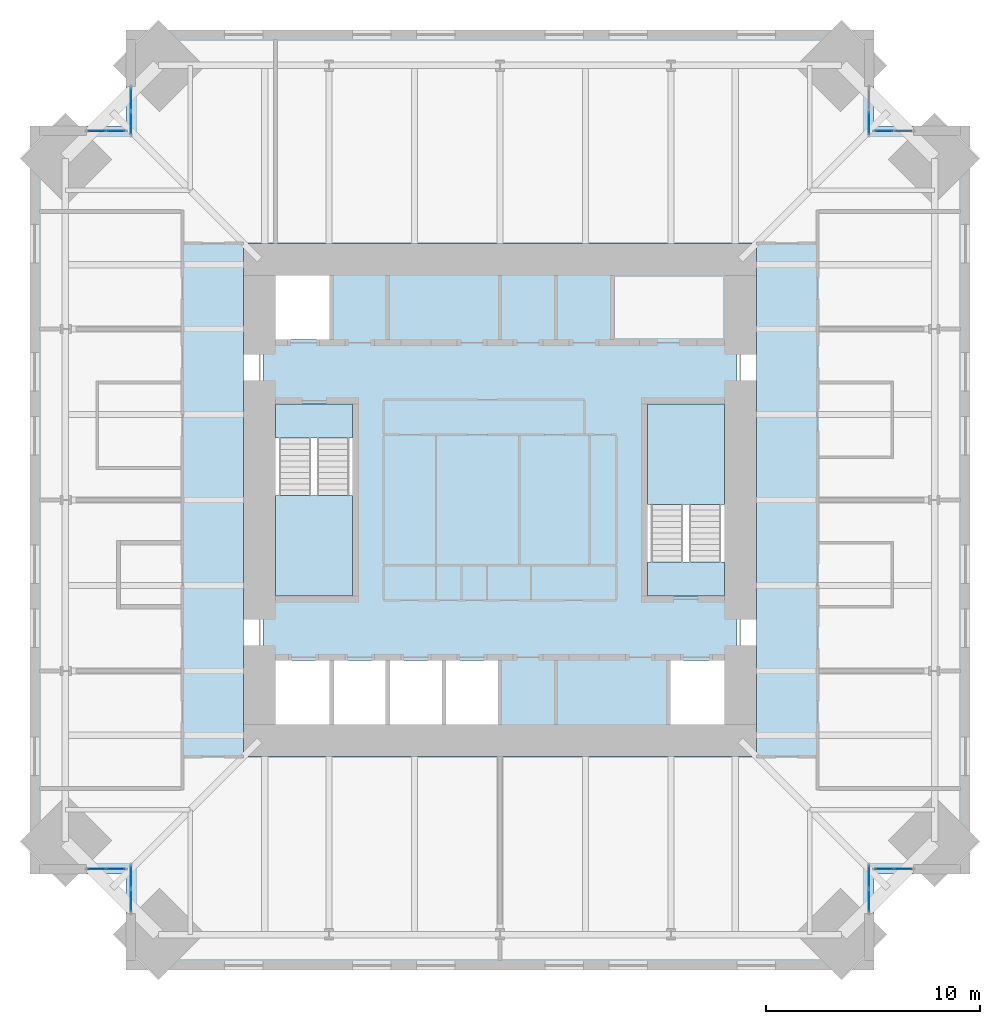
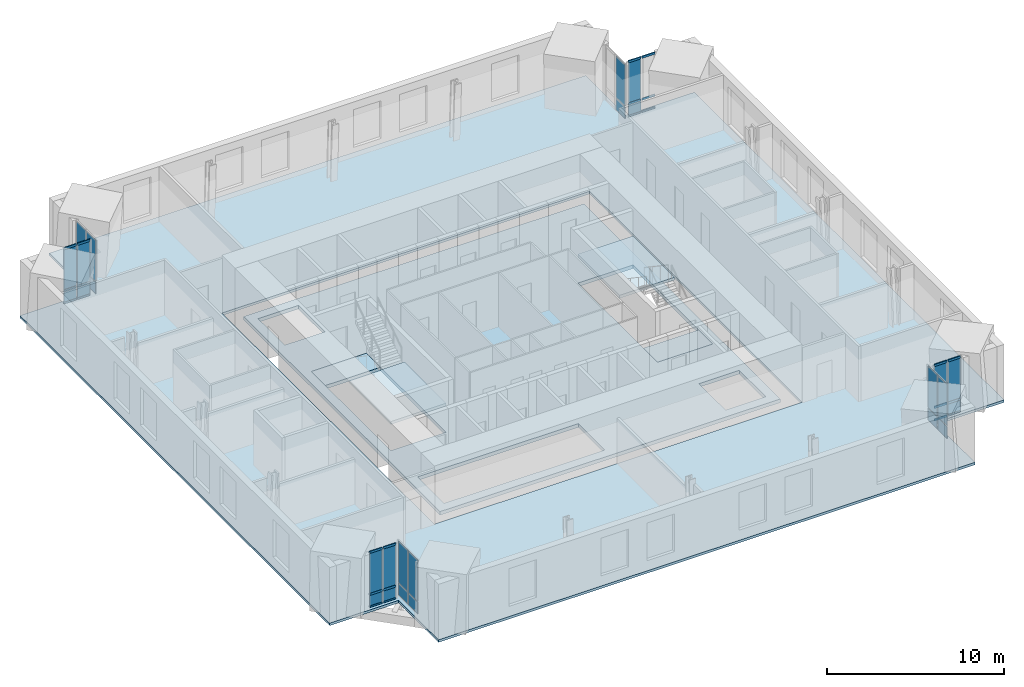
# One storey, part 10 of 16: 28 plates, 24 members, 6 slabs, 10 elements without a shape of their own.
"""IFC4 building model written with IfcOpenShell, lengths in metres."""

from ifc_helpers import new_model, si_unit, direction, frame, origin, origin_2d, place, context, subcontext, project, spatial, polyline, rectangle, hollow_rectangle, outline, extrude, material, layer, layer_set, material_profile, profile_set, type_object, element, aggregate, save


model = new_model("IFC4")

# Units and contexts
model_context = context("Model", 3, precision=1e-05, world=origin(), true_north=direction((0.0, 1.0)))
body_context = subcontext(model_context, "Body", "Model", "MODEL_VIEW")
ifc_project = project(units=[si_unit("LENGTHUNIT", "METRE"), si_unit("AREAUNIT", "SQUARE_METRE"), si_unit("VOLUMEUNIT", "CUBIC_METRE"), si_unit("PLANEANGLEUNIT", "RADIAN"), si_unit("MASSUNIT", "GRAM", prefix="KILO")], contexts=[model_context])

# Site, building, storey
site_placement = place(None, origin())
site = spatial("IfcSite", under=ifc_project, at=site_placement, CompositionType="ELEMENT")
building_placement = place(site_placement, origin())
building = spatial("IfcBuilding", under=site, at=building_placement, Name="Peilmerk Tower", CompositionType="ELEMENT")
storey_placement = place(building_placement, frame((0.0, 0.0, 261.800048828125)))
storey = spatial("IfcBuildingStorey", under=building, at=storey_placement, Name="L58", CompositionType="ELEMENT", Elevation=261.800048828125)

# Curtain wall, members
ifc_material_1 = material(Name="Aluminium stick curtain wall", Category="aluminium")
curtain_wall_type = type_object("IfcCurtainWallType", Name="CW4 stick curtain wall, 2250 module", PredefinedType="NOTDEFINED", material=ifc_material_1)
curtain_wall_1_placement = place(storey_placement, origin())
curtain_wall_1 = element("IfcCurtainWall", 1, at=curtain_wall_1_placement, inside=storey, type_object=curtain_wall_type, Name="Curtain wall CW4 NEB L58", PredefinedType="NOTDEFINED")
ifc_material_2 = material(Name="Aluminium EN AW-6063 T6", Category="aluminium")
ifc_material_profile = material_profile(ifc_material_2, hollow_rectangle(XDim=0.06494140625, YDim=0.14990234375, WallThickness=0.0029296875, at=origin_2d()), Name="AL 150x65x3")
ifc_profile_set = profile_set([ifc_material_profile], Name="Aluminium EN AW-6063 T6")
member_type = type_object("IfcMemberType", Name="CW4-T AL 150x65x3 transom", PredefinedType="USERDEFINED", material=ifc_profile_set)
member_1_placement = place(storey_placement, frame((17.56494140625, 17.27490234375, 0.032470703125), z_axis=(1.0, 0.0, 0.0), x_axis=(0.0, 1.0, 0.0)))
member_1 = element("IfcMember", 2, at=member_1_placement, type_object=member_type, Name="CW4 transom 1.1", ObjectType="TRANSOM", PredefinedType="USERDEFINED", context=body_context, shape_type="SweptSolid", body=[
    extrude(hollow_rectangle(XDim=0.06494140625, YDim=0.14990234375, WallThickness=0.0029296875, at=origin_2d()), origin(), (0.0, 0.0, 1.0), 0.82177734375),
])
member_2_placement = place(storey_placement, frame((17.56494140625, 17.27490234375, 0.89990234375), z_axis=(1.0, 0.0, 0.0), x_axis=(0.0, 1.0, 0.0)))
member_2 = element("IfcMember", 3, at=member_2_placement, type_object=member_type, Name="CW4 transom 1.2", ObjectType="TRANSOM", PredefinedType="USERDEFINED", context=body_context, shape_type="SweptSolid", body=[
    extrude(hollow_rectangle(XDim=0.06494140625, YDim=0.14990234375, WallThickness=0.0029296875, at=origin_2d()), origin(), (0.0, 0.0, 1.0), 0.82177734375),
])
member_3_placement = place(storey_placement, frame((17.56494140625, 17.27490234375, 3.79736328125), z_axis=(1.0, 0.0, 0.0), x_axis=(0.0, 1.0, 0.0)))
member_3 = element("IfcMember", 4, at=member_3_placement, type_object=member_type, Name="CW4 transom 1.3", ObjectType="TRANSOM", PredefinedType="USERDEFINED", context=body_context, shape_type="SweptSolid", body=[
    extrude(hollow_rectangle(XDim=0.06494140625, YDim=0.14990234375, WallThickness=0.0029296875, at=origin_2d()), origin(), (0.0, 0.0, 1.0), 0.82177734375),
])
member_4_placement = place(storey_placement, frame((18.451904296875, 17.27490234375, 0.032470703125), z_axis=(1.0, 0.0, 0.0), x_axis=(0.0, 1.0, 0.0)))
member_4 = element("IfcMember", 5, at=member_4_placement, type_object=member_type, Name="CW4 transom 2.1", ObjectType="TRANSOM", PredefinedType="USERDEFINED", context=body_context, shape_type="SweptSolid", body=[
    extrude(hollow_rectangle(XDim=0.06494140625, YDim=0.14990234375, WallThickness=0.0029296875, at=origin_2d()), origin(), (0.0, 0.0, 1.0), 0.82177734375),
])
member_5_placement = place(storey_placement, frame((18.451904296875, 17.27490234375, 0.89990234375), z_axis=(1.0, 0.0, 0.0), x_axis=(0.0, 1.0, 0.0)))
member_5 = element("IfcMember", 6, at=member_5_placement, type_object=member_type, Name="CW4 transom 2.2", ObjectType="TRANSOM", PredefinedType="USERDEFINED", context=body_context, shape_type="SweptSolid", body=[
    extrude(hollow_rectangle(XDim=0.06494140625, YDim=0.14990234375, WallThickness=0.0029296875, at=origin_2d()), origin(), (0.0, 0.0, 1.0), 0.82177734375),
])
member_6_placement = place(storey_placement, frame((18.451904296875, 17.27490234375, 3.79736328125), z_axis=(1.0, 0.0, 0.0), x_axis=(0.0, 1.0, 0.0)))
member_6 = element("IfcMember", 7, at=member_6_placement, type_object=member_type, Name="CW4 transom 2.3", ObjectType="TRANSOM", PredefinedType="USERDEFINED", context=body_context, shape_type="SweptSolid", body=[
    extrude(hollow_rectangle(XDim=0.06494140625, YDim=0.14990234375, WallThickness=0.0029296875, at=origin_2d()), origin(), (0.0, 0.0, 1.0), 0.82177734375),
])

curtain_wall_2_placement = place(storey_placement, origin())
curtain_wall_2 = element("IfcCurtainWall", 8, at=curtain_wall_2_placement, inside=storey, type_object=curtain_wall_type, Name="Curtain wall CW4 SEB L58", PredefinedType="NOTDEFINED")
member_7_placement = place(storey_placement, frame((17.56494140625, -17.27490234375, 0.032470703125), z_axis=(1.0, 0.0, 0.0), x_axis=(0.0, 1.0, 0.0)))
member_7 = element("IfcMember", 9, at=member_7_placement, type_object=member_type, Name="CW4 transom 1.1", ObjectType="TRANSOM", PredefinedType="USERDEFINED", context=body_context, shape_type="SweptSolid", body=[
    extrude(hollow_rectangle(XDim=0.06494140625, YDim=0.14990234375, WallThickness=0.0029296875, at=origin_2d()), origin(), (0.0, 0.0, 1.0), 0.82177734375),
])
member_8_placement = place(storey_placement, frame((17.56494140625, -17.27490234375, 0.89990234375), z_axis=(1.0, 0.0, 0.0), x_axis=(0.0, 1.0, 0.0)))
member_8 = element("IfcMember", 10, at=member_8_placement, type_object=member_type, Name="CW4 transom 1.2", ObjectType="TRANSOM", PredefinedType="USERDEFINED", context=body_context, shape_type="SweptSolid", body=[
    extrude(hollow_rectangle(XDim=0.06494140625, YDim=0.14990234375, WallThickness=0.0029296875, at=origin_2d()), origin(), (0.0, 0.0, 1.0), 0.82177734375),
])
member_9_placement = place(storey_placement, frame((17.56494140625, -17.27490234375, 3.79736328125), z_axis=(1.0, 0.0, 0.0), x_axis=(0.0, 1.0, 0.0)))
member_9 = element("IfcMember", 11, at=member_9_placement, type_object=member_type, Name="CW4 transom 1.3", ObjectType="TRANSOM", PredefinedType="USERDEFINED", context=body_context, shape_type="SweptSolid", body=[
    extrude(hollow_rectangle(XDim=0.06494140625, YDim=0.14990234375, WallThickness=0.0029296875, at=origin_2d()), origin(), (0.0, 0.0, 1.0), 0.82177734375),
])
member_10_placement = place(storey_placement, frame((18.451904296875, -17.27490234375, 0.032470703125), z_axis=(1.0, 0.0, 0.0), x_axis=(0.0, 1.0, 0.0)))
member_10 = element("IfcMember", 12, at=member_10_placement, type_object=member_type, Name="CW4 transom 2.1", ObjectType="TRANSOM", PredefinedType="USERDEFINED", context=body_context, shape_type="SweptSolid", body=[
    extrude(hollow_rectangle(XDim=0.06494140625, YDim=0.14990234375, WallThickness=0.0029296875, at=origin_2d()), origin(), (0.0, 0.0, 1.0), 0.82177734375),
])
member_11_placement = place(storey_placement, frame((18.451904296875, -17.27490234375, 0.89990234375), z_axis=(1.0, 0.0, 0.0), x_axis=(0.0, 1.0, 0.0)))
member_11 = element("IfcMember", 13, at=member_11_placement, type_object=member_type, Name="CW4 transom 2.2", ObjectType="TRANSOM", PredefinedType="USERDEFINED", context=body_context, shape_type="SweptSolid", body=[
    extrude(hollow_rectangle(XDim=0.06494140625, YDim=0.14990234375, WallThickness=0.0029296875, at=origin_2d()), origin(), (0.0, 0.0, 1.0), 0.82177734375),
])
member_12_placement = place(storey_placement, frame((18.451904296875, -17.27490234375, 3.79736328125), z_axis=(1.0, 0.0, 0.0), x_axis=(0.0, 1.0, 0.0)))
member_12 = element("IfcMember", 14, at=member_12_placement, type_object=member_type, Name="CW4 transom 2.3", ObjectType="TRANSOM", PredefinedType="USERDEFINED", context=body_context, shape_type="SweptSolid", body=[
    extrude(hollow_rectangle(XDim=0.06494140625, YDim=0.14990234375, WallThickness=0.0029296875, at=origin_2d()), origin(), (0.0, 0.0, 1.0), 0.82177734375),
])

curtain_wall_3_placement = place(storey_placement, origin())
curtain_wall_3 = element("IfcCurtainWall", 15, at=curtain_wall_3_placement, inside=storey, type_object=curtain_wall_type, Name="Curtain wall CW4 SWB L58", PredefinedType="NOTDEFINED")
member_13_placement = place(storey_placement, frame((-17.56494140625, -17.27490234375, 0.032470703125), z_axis=(-1.0, 0.0, 0.0), x_axis=(0.0, -1.0, 0.0)))
member_13 = element("IfcMember", 16, at=member_13_placement, type_object=member_type, Name="CW4 transom 1.1", ObjectType="TRANSOM", PredefinedType="USERDEFINED", context=body_context, shape_type="SweptSolid", body=[
    extrude(hollow_rectangle(XDim=0.06494140625, YDim=0.14990234375, WallThickness=0.0029296875, at=origin_2d()), origin(), (0.0, 0.0, 1.0), 0.82177734375),
])
member_14_placement = place(storey_placement, frame((-17.56494140625, -17.27490234375, 0.89990234375), z_axis=(-1.0, 0.0, 0.0), x_axis=(0.0, -1.0, 0.0)))
member_14 = element("IfcMember", 17, at=member_14_placement, type_object=member_type, Name="CW4 transom 1.2", ObjectType="TRANSOM", PredefinedType="USERDEFINED", context=body_context, shape_type="SweptSolid", body=[
    extrude(hollow_rectangle(XDim=0.06494140625, YDim=0.14990234375, WallThickness=0.0029296875, at=origin_2d()), origin(), (0.0, 0.0, 1.0), 0.82177734375),
])
member_15_placement = place(storey_placement, frame((-17.56494140625, -17.27490234375, 3.79736328125), z_axis=(-1.0, 0.0, 0.0), x_axis=(0.0, -1.0, 0.0)))
member_15 = element("IfcMember", 18, at=member_15_placement, type_object=member_type, Name="CW4 transom 1.3", ObjectType="TRANSOM", PredefinedType="USERDEFINED", context=body_context, shape_type="SweptSolid", body=[
    extrude(hollow_rectangle(XDim=0.06494140625, YDim=0.14990234375, WallThickness=0.0029296875, at=origin_2d()), origin(), (0.0, 0.0, 1.0), 0.82177734375),
])
member_16_placement = place(storey_placement, frame((-18.451904296875, -17.27490234375, 0.032470703125), z_axis=(-1.0, 0.0, 0.0), x_axis=(0.0, -1.0, 0.0)))
member_16 = element("IfcMember", 19, at=member_16_placement, type_object=member_type, Name="CW4 transom 2.1", ObjectType="TRANSOM", PredefinedType="USERDEFINED", context=body_context, shape_type="SweptSolid", body=[
    extrude(hollow_rectangle(XDim=0.06494140625, YDim=0.14990234375, WallThickness=0.0029296875, at=origin_2d()), origin(), (0.0, 0.0, 1.0), 0.82177734375),
])
member_17_placement = place(storey_placement, frame((-18.451904296875, -17.27490234375, 0.89990234375), z_axis=(-1.0, 0.0, 0.0), x_axis=(0.0, -1.0, 0.0)))
member_17 = element("IfcMember", 20, at=member_17_placement, type_object=member_type, Name="CW4 transom 2.2", ObjectType="TRANSOM", PredefinedType="USERDEFINED", context=body_context, shape_type="SweptSolid", body=[
    extrude(hollow_rectangle(XDim=0.06494140625, YDim=0.14990234375, WallThickness=0.0029296875, at=origin_2d()), origin(), (0.0, 0.0, 1.0), 0.82177734375),
])
member_18_placement = place(storey_placement, frame((-18.451904296875, -17.27490234375, 3.79736328125), z_axis=(-1.0, 0.0, 0.0), x_axis=(0.0, -1.0, 0.0)))
member_18 = element("IfcMember", 21, at=member_18_placement, type_object=member_type, Name="CW4 transom 2.3", ObjectType="TRANSOM", PredefinedType="USERDEFINED", context=body_context, shape_type="SweptSolid", body=[
    extrude(hollow_rectangle(XDim=0.06494140625, YDim=0.14990234375, WallThickness=0.0029296875, at=origin_2d()), origin(), (0.0, 0.0, 1.0), 0.82177734375),
])

curtain_wall_4_placement = place(storey_placement, origin())
curtain_wall_4 = element("IfcCurtainWall", 22, at=curtain_wall_4_placement, inside=storey, type_object=curtain_wall_type, Name="Curtain wall CW4 NWB L58", PredefinedType="NOTDEFINED")
member_19_placement = place(storey_placement, frame((-17.56494140625, 17.27490234375, 0.032470703125), z_axis=(-1.0, 0.0, 0.0), x_axis=(0.0, -1.0, 0.0)))
member_19 = element("IfcMember", 23, at=member_19_placement, type_object=member_type, Name="CW4 transom 1.1", ObjectType="TRANSOM", PredefinedType="USERDEFINED", context=body_context, shape_type="SweptSolid", body=[
    extrude(hollow_rectangle(XDim=0.06494140625, YDim=0.14990234375, WallThickness=0.0029296875, at=origin_2d()), origin(), (0.0, 0.0, 1.0), 0.82177734375),
])
member_20_placement = place(storey_placement, frame((-17.56494140625, 17.27490234375, 0.89990234375), z_axis=(-1.0, 0.0, 0.0), x_axis=(0.0, -1.0, 0.0)))
member_20 = element("IfcMember", 24, at=member_20_placement, type_object=member_type, Name="CW4 transom 1.2", ObjectType="TRANSOM", PredefinedType="USERDEFINED", context=body_context, shape_type="SweptSolid", body=[
    extrude(hollow_rectangle(XDim=0.06494140625, YDim=0.14990234375, WallThickness=0.0029296875, at=origin_2d()), origin(), (0.0, 0.0, 1.0), 0.82177734375),
])
member_21_placement = place(storey_placement, frame((-17.56494140625, 17.27490234375, 3.79736328125), z_axis=(-1.0, 0.0, 0.0), x_axis=(0.0, -1.0, 0.0)))
member_21 = element("IfcMember", 25, at=member_21_placement, type_object=member_type, Name="CW4 transom 1.3", ObjectType="TRANSOM", PredefinedType="USERDEFINED", context=body_context, shape_type="SweptSolid", body=[
    extrude(hollow_rectangle(XDim=0.06494140625, YDim=0.14990234375, WallThickness=0.0029296875, at=origin_2d()), origin(), (0.0, 0.0, 1.0), 0.82177734375),
])
member_22_placement = place(storey_placement, frame((-18.451904296875, 17.27490234375, 0.032470703125), z_axis=(-1.0, 0.0, 0.0), x_axis=(0.0, -1.0, 0.0)))
member_22 = element("IfcMember", 26, at=member_22_placement, type_object=member_type, Name="CW4 transom 2.1", ObjectType="TRANSOM", PredefinedType="USERDEFINED", context=body_context, shape_type="SweptSolid", body=[
    extrude(hollow_rectangle(XDim=0.06494140625, YDim=0.14990234375, WallThickness=0.0029296875, at=origin_2d()), origin(), (0.0, 0.0, 1.0), 0.82177734375),
])
member_23_placement = place(storey_placement, frame((-18.451904296875, 17.27490234375, 0.89990234375), z_axis=(-1.0, 0.0, 0.0), x_axis=(0.0, -1.0, 0.0)))
member_23 = element("IfcMember", 27, at=member_23_placement, type_object=member_type, Name="CW4 transom 2.2", ObjectType="TRANSOM", PredefinedType="USERDEFINED", context=body_context, shape_type="SweptSolid", body=[
    extrude(hollow_rectangle(XDim=0.06494140625, YDim=0.14990234375, WallThickness=0.0029296875, at=origin_2d()), origin(), (0.0, 0.0, 1.0), 0.82177734375),
])
member_24_placement = place(storey_placement, frame((-18.451904296875, 17.27490234375, 3.79736328125), z_axis=(-1.0, 0.0, 0.0), x_axis=(0.0, -1.0, 0.0)))
member_24 = element("IfcMember", 28, at=member_24_placement, type_object=member_type, Name="CW4 transom 2.3", ObjectType="TRANSOM", PredefinedType="USERDEFINED", context=body_context, shape_type="SweptSolid", body=[
    extrude(hollow_rectangle(XDim=0.06494140625, YDim=0.14990234375, WallThickness=0.0029296875, at=origin_2d()), origin(), (0.0, 0.0, 1.0), 0.82177734375),
])

# Slab
ifc_material_3 = material(Name="Concrete C55/67", Category="concrete")
ifc_layer_1 = layer(ifc_material_3, 0.25)
ifc_layer_set_1 = layer_set([ifc_layer_1], Name="Concrete C55/67")
slab_type_1 = type_object("IfcSlabType", Name="CS250 250 core floor slab", PredefinedType="FLOOR", material=ifc_layer_set_1)
slab_1_placement = place(storey_placement, frame((0.0, 0.0, -0.25)))
element("IfcSlab", 29, at=slab_1_placement, inside=storey, type_object=slab_type_1, Name="Core slab L58", PredefinedType="FLOOR", context=body_context, shape_type="SweptSolid", body=[
    extrude(outline(polyline([(11.10009765625, -11.10009765625), (11.10009765625, 11.10009765625), (-11.10009765625, 11.10009765625), (-11.10009765625, -11.10009765625), (11.10009765625, -11.10009765625)]), holes=[polyline([(-7.875, 7.5), (-10.5, 7.5), (-10.5, 10.5), (-7.875, 10.5), (-7.875, 7.5)]), polyline([(0.0, -10.5), (-10.5, -10.5), (-10.5, -7.5), (0.0, -7.5), (0.0, -10.5)]), polyline([(7.875, -10.5), (7.875, -7.5), (10.5, -7.5), (10.5, -10.5), (7.875, -10.5)]), polyline([(-10.5, 4.5), (-6.89990234375, 4.5), (-6.89990234375, -4.5), (-10.5, -4.5), (-10.5, 4.5)]), polyline([(10.5, 4.5), (10.5, -4.5), (6.89990234375, -4.5), (6.89990234375, 4.5), (10.5, 4.5)])]), origin(), (0.0, 0.0, 1.0), 0.25),
])

# Curtain wall, plates
curtain_wall_5_placement = place(storey_placement, origin())
curtain_wall_5 = element("IfcCurtainWall", 30, at=curtain_wall_5_placement, inside=storey, type_object=curtain_wall_type, Name="Curtain wall CW4 NEA L58", PredefinedType="NOTDEFINED")
ifc_material_4 = material(Name="Clear insulated glazing unit", Category="glass")
ifc_layer_2 = layer(ifc_material_4, 0.028076171875)
ifc_layer_set_2 = layer_set([ifc_layer_2], Name="Clear insulated glazing unit")
plate_type = type_object("IfcPlateType", Name="CW4-P 28 glazed panel", PredefinedType="CURTAIN_PANEL", material=ifc_layer_set_2)
plate_1_placement = place(storey_placement, frame((17.27490234375, 17.638427734375, 0.06494140625), z_axis=(0.0, 0.0, 1.0), x_axis=(0.0, 1.0, 0.0)))
plate_1 = element("IfcPlate", 31, at=plate_1_placement, type_object=plate_type, Name="CW4 panel 1.1", PredefinedType="CURTAIN_PANEL", context=body_context, shape_type="SweptSolid", body=[
    extrude(rectangle(XDim=1.046875, YDim=0.028076171875, at=origin_2d()), origin(), (0.0, 0.0, 1.0), 0.802490234375),
])
plate_2_placement = place(storey_placement, frame((17.27490234375, 17.638427734375, 0.932373046875), z_axis=(0.0, 0.0, 1.0), x_axis=(0.0, 1.0, 0.0)))
plate_2 = element("IfcPlate", 32, at=plate_2_placement, type_object=plate_type, Name="CW4 panel 1.2", PredefinedType="CURTAIN_PANEL", context=body_context, shape_type="SweptSolid", body=[
    extrude(rectangle(XDim=1.046875, YDim=0.028076171875, at=origin_2d()), origin(), (0.0, 0.0, 1.0), 2.83251953125),
])
aggregate(curtain_wall_5, [plate_1, plate_2])

# Plate
plate_3_placement = place(storey_placement, frame((17.975830078125, 17.27490234375, 0.06494140625), z_axis=(0.0, 0.0, 1.0), x_axis=(1.0, 0.0, 0.0)))
plate_3 = element("IfcPlate", 33, at=plate_3_placement, type_object=plate_type, Name="CW4 panel 1.1", PredefinedType="CURTAIN_PANEL", context=body_context, shape_type="SweptSolid", body=[
    extrude(rectangle(XDim=0.82177734375, YDim=0.028076171875, at=origin_2d()), origin(), (0.0, 0.0, 1.0), 0.802490234375),
])

plate_4_placement = place(storey_placement, frame((17.975830078125, 17.27490234375, 0.932373046875), z_axis=(0.0, 0.0, 1.0), x_axis=(1.0, 0.0, 0.0)))
plate_4 = element("IfcPlate", 34, at=plate_4_placement, type_object=plate_type, Name="CW4 panel 1.2", PredefinedType="CURTAIN_PANEL", context=body_context, shape_type="SweptSolid", body=[
    extrude(rectangle(XDim=0.82177734375, YDim=0.028076171875, at=origin_2d()), origin(), (0.0, 0.0, 1.0), 2.83251953125),
])

aggregate(curtain_wall_1, [member_1, member_2, member_3, plate_3, plate_4, member_4, member_5, member_6])

# Curtain wall, plates
curtain_wall_6_placement = place(storey_placement, origin())
curtain_wall_6 = element("IfcCurtainWall", 35, at=curtain_wall_6_placement, inside=storey, type_object=curtain_wall_type, Name="Curtain wall CW4 SEA L58", PredefinedType="NOTDEFINED")
plate_5_placement = place(storey_placement, frame((17.27490234375, -17.638427734375, 0.06494140625), z_axis=(0.0, 0.0, 1.0), x_axis=(0.0, -1.0, 0.0)))
plate_5 = element("IfcPlate", 36, at=plate_5_placement, type_object=plate_type, Name="CW4 panel 1.1", PredefinedType="CURTAIN_PANEL", context=body_context, shape_type="SweptSolid", body=[
    extrude(rectangle(XDim=1.046875, YDim=0.028076171875, at=origin_2d()), origin(), (0.0, 0.0, 1.0), 0.802490234375),
])
plate_6_placement = place(storey_placement, frame((17.27490234375, -17.638427734375, 0.932373046875), z_axis=(0.0, 0.0, 1.0), x_axis=(0.0, -1.0, 0.0)))
plate_6 = element("IfcPlate", 37, at=plate_6_placement, type_object=plate_type, Name="CW4 panel 1.2", PredefinedType="CURTAIN_PANEL", context=body_context, shape_type="SweptSolid", body=[
    extrude(rectangle(XDim=1.046875, YDim=0.028076171875, at=origin_2d()), origin(), (0.0, 0.0, 1.0), 2.83251953125),
])
plate_7_placement = place(storey_placement, frame((17.27490234375, -18.750244140625, 0.06494140625), z_axis=(0.0, 0.0, 1.0), x_axis=(0.0, -1.0, 0.0)))
plate_7 = element("IfcPlate", 38, at=plate_7_placement, type_object=plate_type, Name="CW4 panel 2.1", PredefinedType="CURTAIN_PANEL", context=body_context, shape_type="SweptSolid", body=[
    extrude(rectangle(XDim=1.046875, YDim=0.028076171875, at=origin_2d()), origin(), (0.0, 0.0, 1.0), 0.802490234375),
])
plate_8_placement = place(storey_placement, frame((17.27490234375, -18.750244140625, 0.932373046875), z_axis=(0.0, 0.0, 1.0), x_axis=(0.0, -1.0, 0.0)))
plate_8 = element("IfcPlate", 39, at=plate_8_placement, type_object=plate_type, Name="CW4 panel 2.2", PredefinedType="CURTAIN_PANEL", context=body_context, shape_type="SweptSolid", body=[
    extrude(rectangle(XDim=1.046875, YDim=0.028076171875, at=origin_2d()), origin(), (0.0, 0.0, 1.0), 2.83251953125),
])
aggregate(curtain_wall_6, [plate_5, plate_6, plate_7, plate_8])

# Plate
plate_9_placement = place(storey_placement, frame((17.975830078125, -17.27490234375, 0.06494140625), z_axis=(0.0, 0.0, 1.0), x_axis=(1.0, 0.0, 0.0)))
plate_9 = element("IfcPlate", 40, at=plate_9_placement, type_object=plate_type, Name="CW4 panel 1.1", PredefinedType="CURTAIN_PANEL", context=body_context, shape_type="SweptSolid", body=[
    extrude(rectangle(XDim=0.82177734375, YDim=0.028076171875, at=origin_2d()), origin(), (0.0, 0.0, 1.0), 0.802490234375),
])

plate_10_placement = place(storey_placement, frame((17.975830078125, -17.27490234375, 0.932373046875), z_axis=(0.0, 0.0, 1.0), x_axis=(1.0, 0.0, 0.0)))
plate_10 = element("IfcPlate", 41, at=plate_10_placement, type_object=plate_type, Name="CW4 panel 1.2", PredefinedType="CURTAIN_PANEL", context=body_context, shape_type="SweptSolid", body=[
    extrude(rectangle(XDim=0.82177734375, YDim=0.028076171875, at=origin_2d()), origin(), (0.0, 0.0, 1.0), 2.83251953125),
])

plate_11_placement = place(storey_placement, frame((18.86279296875, -17.27490234375, 0.06494140625), z_axis=(0.0, 0.0, 1.0), x_axis=(1.0, 0.0, 0.0)))
plate_11 = element("IfcPlate", 42, at=plate_11_placement, type_object=plate_type, Name="CW4 panel 2.1", PredefinedType="CURTAIN_PANEL", context=body_context, shape_type="SweptSolid", body=[
    extrude(rectangle(XDim=0.82177734375, YDim=0.028076171875, at=origin_2d()), origin(), (0.0, 0.0, 1.0), 0.802490234375),
])

plate_12_placement = place(storey_placement, frame((18.86279296875, -17.27490234375, 0.932373046875), z_axis=(0.0, 0.0, 1.0), x_axis=(1.0, 0.0, 0.0)))
plate_12 = element("IfcPlate", 43, at=plate_12_placement, type_object=plate_type, Name="CW4 panel 2.2", PredefinedType="CURTAIN_PANEL", context=body_context, shape_type="SweptSolid", body=[
    extrude(rectangle(XDim=0.82177734375, YDim=0.028076171875, at=origin_2d()), origin(), (0.0, 0.0, 1.0), 2.83251953125),
])

aggregate(curtain_wall_2, [member_7, member_8, member_9, plate_9, plate_10, member_10, member_11, member_12, plate_11, plate_12])

# Curtain wall, plates
curtain_wall_7_placement = place(storey_placement, origin())
curtain_wall_7 = element("IfcCurtainWall", 44, at=curtain_wall_7_placement, inside=storey, type_object=curtain_wall_type, Name="Curtain wall CW4 SWA L58", PredefinedType="NOTDEFINED")
plate_13_placement = place(storey_placement, frame((-17.27490234375, -17.638427734375, 0.06494140625), z_axis=(0.0, 0.0, 1.0), x_axis=(0.0, -1.0, 0.0)))
plate_13 = element("IfcPlate", 45, at=plate_13_placement, type_object=plate_type, Name="CW4 panel 1.1", PredefinedType="CURTAIN_PANEL", context=body_context, shape_type="SweptSolid", body=[
    extrude(rectangle(XDim=1.046875, YDim=0.028076171875, at=origin_2d()), origin(), (0.0, 0.0, 1.0), 0.802490234375),
])
plate_14_placement = place(storey_placement, frame((-17.27490234375, -17.638427734375, 0.932373046875), z_axis=(0.0, 0.0, 1.0), x_axis=(0.0, -1.0, 0.0)))
plate_14 = element("IfcPlate", 46, at=plate_14_placement, type_object=plate_type, Name="CW4 panel 1.2", PredefinedType="CURTAIN_PANEL", context=body_context, shape_type="SweptSolid", body=[
    extrude(rectangle(XDim=1.046875, YDim=0.028076171875, at=origin_2d()), origin(), (0.0, 0.0, 1.0), 2.83251953125),
])
plate_15_placement = place(storey_placement, frame((-17.27490234375, -18.750244140625, 0.06494140625), z_axis=(0.0, 0.0, 1.0), x_axis=(0.0, -1.0, 0.0)))
plate_15 = element("IfcPlate", 47, at=plate_15_placement, type_object=plate_type, Name="CW4 panel 2.1", PredefinedType="CURTAIN_PANEL", context=body_context, shape_type="SweptSolid", body=[
    extrude(rectangle(XDim=1.046875, YDim=0.028076171875, at=origin_2d()), origin(), (0.0, 0.0, 1.0), 0.802490234375),
])
plate_16_placement = place(storey_placement, frame((-17.27490234375, -18.750244140625, 0.932373046875), z_axis=(0.0, 0.0, 1.0), x_axis=(0.0, -1.0, 0.0)))
plate_16 = element("IfcPlate", 48, at=plate_16_placement, type_object=plate_type, Name="CW4 panel 2.2", PredefinedType="CURTAIN_PANEL", context=body_context, shape_type="SweptSolid", body=[
    extrude(rectangle(XDim=1.046875, YDim=0.028076171875, at=origin_2d()), origin(), (0.0, 0.0, 1.0), 2.83251953125),
])
aggregate(curtain_wall_7, [plate_13, plate_14, plate_15, plate_16])

# Plate
plate_17_placement = place(storey_placement, frame((-17.975830078125, -17.27490234375, 0.06494140625), z_axis=(0.0, 0.0, 1.0), x_axis=(-1.0, 0.0, 0.0)))
plate_17 = element("IfcPlate", 49, at=plate_17_placement, type_object=plate_type, Name="CW4 panel 1.1", PredefinedType="CURTAIN_PANEL", context=body_context, shape_type="SweptSolid", body=[
    extrude(rectangle(XDim=0.82177734375, YDim=0.028076171875, at=origin_2d()), origin(), (0.0, 0.0, 1.0), 0.802490234375),
])

plate_18_placement = place(storey_placement, frame((-17.975830078125, -17.27490234375, 0.932373046875), z_axis=(0.0, 0.0, 1.0), x_axis=(-1.0, 0.0, 0.0)))
plate_18 = element("IfcPlate", 50, at=plate_18_placement, type_object=plate_type, Name="CW4 panel 1.2", PredefinedType="CURTAIN_PANEL", context=body_context, shape_type="SweptSolid", body=[
    extrude(rectangle(XDim=0.82177734375, YDim=0.028076171875, at=origin_2d()), origin(), (0.0, 0.0, 1.0), 2.83251953125),
])

plate_19_placement = place(storey_placement, frame((-18.86279296875, -17.27490234375, 0.06494140625), z_axis=(0.0, 0.0, 1.0), x_axis=(-1.0, 0.0, 0.0)))
plate_19 = element("IfcPlate", 51, at=plate_19_placement, type_object=plate_type, Name="CW4 panel 2.1", PredefinedType="CURTAIN_PANEL", context=body_context, shape_type="SweptSolid", body=[
    extrude(rectangle(XDim=0.82177734375, YDim=0.028076171875, at=origin_2d()), origin(), (0.0, 0.0, 1.0), 0.802490234375),
])

plate_20_placement = place(storey_placement, frame((-18.86279296875, -17.27490234375, 0.932373046875), z_axis=(0.0, 0.0, 1.0), x_axis=(-1.0, 0.0, 0.0)))
plate_20 = element("IfcPlate", 52, at=plate_20_placement, type_object=plate_type, Name="CW4 panel 2.2", PredefinedType="CURTAIN_PANEL", context=body_context, shape_type="SweptSolid", body=[
    extrude(rectangle(XDim=0.82177734375, YDim=0.028076171875, at=origin_2d()), origin(), (0.0, 0.0, 1.0), 2.83251953125),
])

aggregate(curtain_wall_3, [member_13, member_14, member_15, plate_17, plate_18, member_16, member_17, member_18, plate_19, plate_20])

# Curtain wall, plates
curtain_wall_8_placement = place(storey_placement, origin())
curtain_wall_8 = element("IfcCurtainWall", 53, at=curtain_wall_8_placement, inside=storey, type_object=curtain_wall_type, Name="Curtain wall CW4 NWA L58", PredefinedType="NOTDEFINED")
plate_21_placement = place(storey_placement, frame((-17.27490234375, 17.638427734375, 0.06494140625), z_axis=(0.0, 0.0, 1.0), x_axis=(0.0, 1.0, 0.0)))
plate_21 = element("IfcPlate", 54, at=plate_21_placement, type_object=plate_type, Name="CW4 panel 1.1", PredefinedType="CURTAIN_PANEL", context=body_context, shape_type="SweptSolid", body=[
    extrude(rectangle(XDim=1.046875, YDim=0.028076171875, at=origin_2d()), origin(), (0.0, 0.0, 1.0), 0.802490234375),
])
plate_22_placement = place(storey_placement, frame((-17.27490234375, 17.638427734375, 0.932373046875), z_axis=(0.0, 0.0, 1.0), x_axis=(0.0, 1.0, 0.0)))
plate_22 = element("IfcPlate", 55, at=plate_22_placement, type_object=plate_type, Name="CW4 panel 1.2", PredefinedType="CURTAIN_PANEL", context=body_context, shape_type="SweptSolid", body=[
    extrude(rectangle(XDim=1.046875, YDim=0.028076171875, at=origin_2d()), origin(), (0.0, 0.0, 1.0), 2.83251953125),
])
plate_23_placement = place(storey_placement, frame((-17.27490234375, 18.750244140625, 0.06494140625), z_axis=(0.0, 0.0, 1.0), x_axis=(0.0, 1.0, 0.0)))
plate_23 = element("IfcPlate", 56, at=plate_23_placement, type_object=plate_type, Name="CW4 panel 2.1", PredefinedType="CURTAIN_PANEL", context=body_context, shape_type="SweptSolid", body=[
    extrude(rectangle(XDim=1.046875, YDim=0.028076171875, at=origin_2d()), origin(), (0.0, 0.0, 1.0), 0.802490234375),
])
plate_24_placement = place(storey_placement, frame((-17.27490234375, 18.750244140625, 0.932373046875), z_axis=(0.0, 0.0, 1.0), x_axis=(0.0, 1.0, 0.0)))
plate_24 = element("IfcPlate", 57, at=plate_24_placement, type_object=plate_type, Name="CW4 panel 2.2", PredefinedType="CURTAIN_PANEL", context=body_context, shape_type="SweptSolid", body=[
    extrude(rectangle(XDim=1.046875, YDim=0.028076171875, at=origin_2d()), origin(), (0.0, 0.0, 1.0), 2.83251953125),
])
aggregate(curtain_wall_8, [plate_21, plate_22, plate_23, plate_24])

# Plate
plate_25_placement = place(storey_placement, frame((-17.975830078125, 17.27490234375, 0.06494140625), z_axis=(0.0, 0.0, 1.0), x_axis=(-1.0, 0.0, 0.0)))
plate_25 = element("IfcPlate", 58, at=plate_25_placement, type_object=plate_type, Name="CW4 panel 1.1", PredefinedType="CURTAIN_PANEL", context=body_context, shape_type="SweptSolid", body=[
    extrude(rectangle(XDim=0.82177734375, YDim=0.028076171875, at=origin_2d()), origin(), (0.0, 0.0, 1.0), 0.802490234375),
])

plate_26_placement = place(storey_placement, frame((-17.975830078125, 17.27490234375, 0.932373046875), z_axis=(0.0, 0.0, 1.0), x_axis=(-1.0, 0.0, 0.0)))
plate_26 = element("IfcPlate", 59, at=plate_26_placement, type_object=plate_type, Name="CW4 panel 1.2", PredefinedType="CURTAIN_PANEL", context=body_context, shape_type="SweptSolid", body=[
    extrude(rectangle(XDim=0.82177734375, YDim=0.028076171875, at=origin_2d()), origin(), (0.0, 0.0, 1.0), 2.83251953125),
])

plate_27_placement = place(storey_placement, frame((-18.86279296875, 17.27490234375, 0.06494140625), z_axis=(0.0, 0.0, 1.0), x_axis=(-1.0, 0.0, 0.0)))
plate_27 = element("IfcPlate", 60, at=plate_27_placement, type_object=plate_type, Name="CW4 panel 2.1", PredefinedType="CURTAIN_PANEL", context=body_context, shape_type="SweptSolid", body=[
    extrude(rectangle(XDim=0.82177734375, YDim=0.028076171875, at=origin_2d()), origin(), (0.0, 0.0, 1.0), 0.802490234375),
])

plate_28_placement = place(storey_placement, frame((-18.86279296875, 17.27490234375, 0.932373046875), z_axis=(0.0, 0.0, 1.0), x_axis=(-1.0, 0.0, 0.0)))
plate_28 = element("IfcPlate", 61, at=plate_28_placement, type_object=plate_type, Name="CW4 panel 2.2", PredefinedType="CURTAIN_PANEL", context=body_context, shape_type="SweptSolid", body=[
    extrude(rectangle(XDim=0.82177734375, YDim=0.028076171875, at=origin_2d()), origin(), (0.0, 0.0, 1.0), 2.83251953125),
])

aggregate(curtain_wall_4, [member_19, member_20, member_21, plate_25, plate_26, member_22, member_23, member_24, plate_27, plate_28])

# Slab
ifc_material_5 = material(Name="Concrete C35/45", Category="concrete")
ifc_layer_3 = layer(ifc_material_5, 0.169921875)
ifc_layer_set_3 = layer_set([ifc_layer_3], Name="Concrete C35/45")
slab_type_2 = type_object("IfcSlabType", Name="FS170 170 composite floor slab", PredefinedType="FLOOR", material=ifc_layer_set_3)
slab_2_placement = place(storey_placement, frame((0.0, 0.0, -0.170166015625)))
element("IfcSlab", 62, at=slab_2_placement, inside=storey, type_object=slab_type_2, Name="Floor slab L58", PredefinedType="FLOOR", context=body_context, shape_type="SweptSolid", body=[
    extrude(outline(polyline([(-17.5, -22.0), (17.5, -22.0), (17.5, -17.5), (22.0, -17.5), (22.0, 17.5), (17.5, 17.5), (17.5, 22.0), (-17.5, 22.0), (-17.5, 17.5), (-22.0, 17.5), (-22.0, -17.5), (-17.5, -17.5), (-17.5, -22.0)]), holes=[polyline([(12.0, 12.0), (12.0, -12.0), (-12.0, -12.0), (-12.0, 12.0), (12.0, 12.0)])]), origin(), (0.0, 0.0, 1.0), 0.170166015625),
])

# Stair, slab
ifc_material_6 = material(Name="Precast concrete C45/55", Category="concrete")
stair_type_1 = type_object("IfcStairType", Name="ST1 22 risers of 181.8", PredefinedType="HALF_TURN_STAIR", material=ifc_material_6)
stair_1_placement = place(storey_placement, origin())
stair_1 = element("IfcStair", 63, at=stair_1_placement, inside=storey, type_object=stair_type_1, Name="Stair 1 L58 to L59", PredefinedType="HALF_TURN_STAIR")
ifc_layer_4 = layer(ifc_material_5, 0.199951171875)
ifc_layer_set_4 = layer_set([ifc_layer_4], Name="Concrete C35/45")
slab_type_3 = type_object("IfcSlabType", Name="SL1 200 concrete stair landing", PredefinedType="LANDING", material=ifc_layer_set_4)
slab_3_placement = place(storey_placement, frame((0.0, 0.0, 1.800048828125)))
slab_3 = element("IfcSlab", 64, at=slab_3_placement, type_object=slab_type_3, Name="ST1 landing 1", PredefinedType="LANDING", context=body_context, shape_type="SweptSolid", body=[
    extrude(outline(polyline([(-10.5, -4.5), (-6.89990234375, -4.5), (-6.89990234375, 0.199951171875), (-10.5, 0.199951171875), (-10.5, -4.5)])), origin(), (0.0, 0.0, 1.0), 0.199951171875),
])

stair_type_2 = type_object("IfcStairType", Name="ST2 22 risers of 181.8", PredefinedType="HALF_TURN_STAIR", material=ifc_material_6)
stair_2_placement = place(storey_placement, origin())
stair_2 = element("IfcStair", 65, at=stair_2_placement, inside=storey, type_object=stair_type_2, Name="Stair 2 L58 to L59", PredefinedType="HALF_TURN_STAIR")
slab_4_placement = place(storey_placement, frame((0.0, 0.0, 1.800048828125)))
slab_4 = element("IfcSlab", 66, at=slab_4_placement, type_object=slab_type_3, Name="ST2 landing 1", PredefinedType="LANDING", context=body_context, shape_type="SweptSolid", body=[
    extrude(outline(polyline([(6.89990234375, -0.199951171875), (10.5, -0.199951171875), (10.5, 4.5), (6.89990234375, 4.5), (6.89990234375, -0.199951171875)])), origin(), (0.0, 0.0, 1.0), 0.199951171875),
])

# Slab
ifc_layer_5 = layer(ifc_material_5, 0.25)
ifc_layer_set_5 = layer_set([ifc_layer_5], Name="Concrete C35/45")
slab_type_4 = type_object("IfcSlabType", Name="SL2 250 concrete floor landing", PredefinedType="LANDING", material=ifc_layer_set_5)
slab_5_placement = place(storey_placement, frame((0.0, 0.0, -0.25)))
slab_5 = element("IfcSlab", 67, at=slab_5_placement, type_object=slab_type_4, Name="ST1 floor landing", PredefinedType="LANDING", context=body_context, shape_type="SweptSolid", body=[
    extrude(outline(polyline([(-10.5, 2.89990234375), (-6.89990234375, 2.89990234375), (-6.89990234375, 4.5), (-10.5, 4.5), (-10.5, 2.89990234375)])), origin(), (0.0, 0.0, 1.0), 0.25),
])

aggregate(stair_1, [slab_3, slab_5])

slab_6_placement = place(storey_placement, frame((0.0, 0.0, -0.25)))
slab_6 = element("IfcSlab", 68, at=slab_6_placement, type_object=slab_type_4, Name="ST2 floor landing", PredefinedType="LANDING", context=body_context, shape_type="SweptSolid", body=[
    extrude(outline(polyline([(6.89990234375, -4.5), (10.5, -4.5), (10.5, -2.89990234375), (6.89990234375, -2.89990234375), (6.89990234375, -4.5)])), origin(), (0.0, 0.0, 1.0), 0.25),
])

aggregate(stair_2, [slab_4, slab_6])

save(model, "model.ifc")
